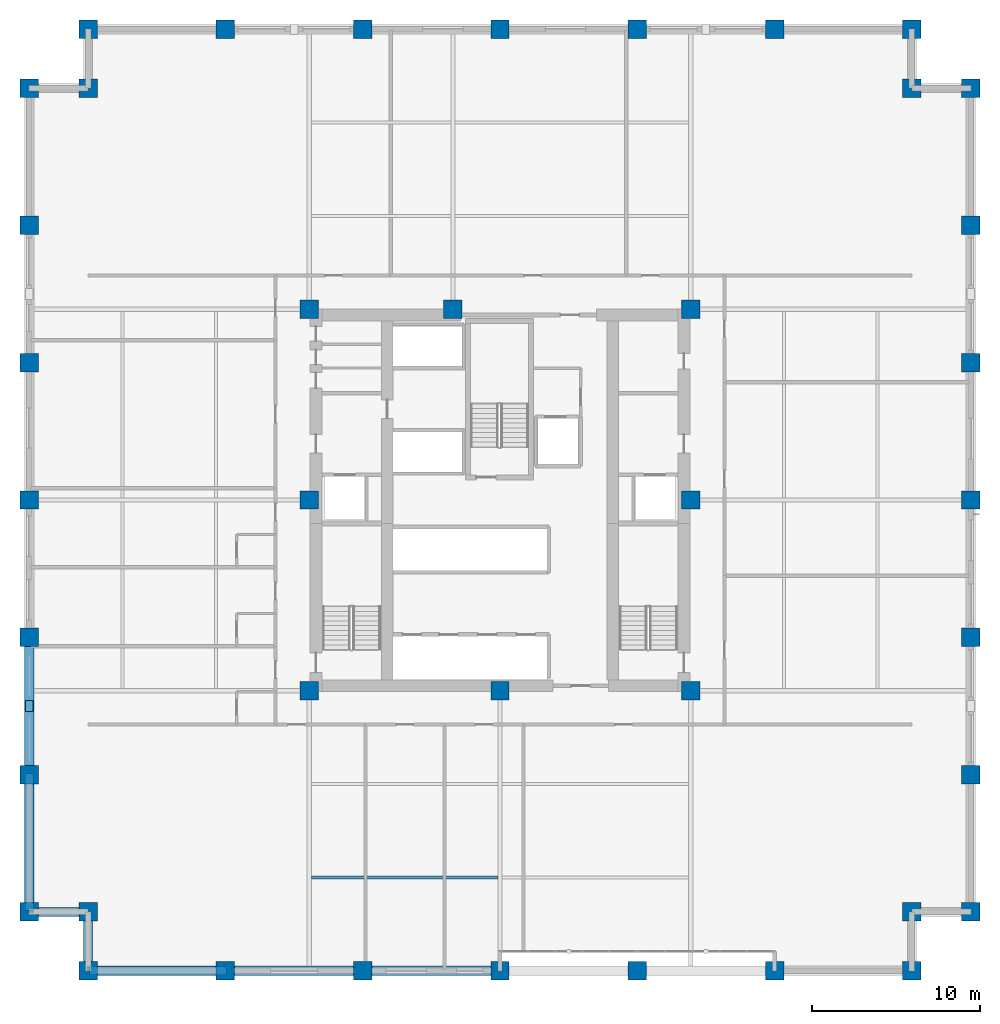
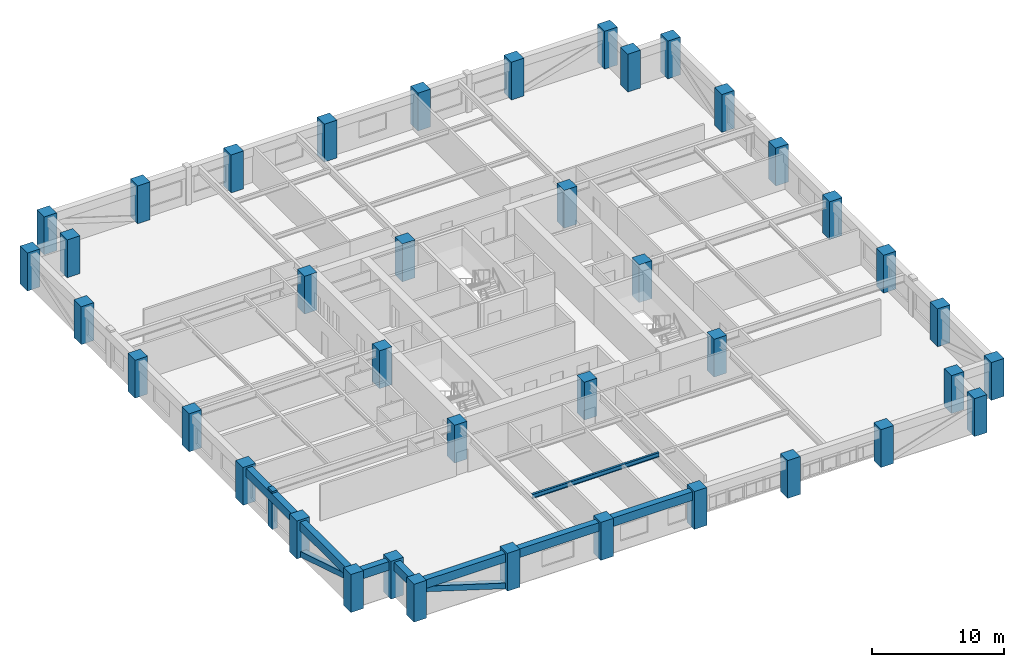
# One storey, part 1 of 13: 40 columns, 8 beams, 3 members.
"""IFC4 building model written with IfcOpenShell, lengths in metres."""

from ifc_helpers import new_model, si_unit, direction, frame, origin, origin_2d, place, context, subcontext, project, spatial, rectangle, hollow_rectangle, i_section, extrude, material, material_profile, profile_set, type_object, element, save


model = new_model("IFC4")

# Units and contexts
model_context = context("Model", 3, precision=1e-05, world=origin(), true_north=direction((0.0, 1.0)))
body_context = subcontext(model_context, "Body", "Model", "MODEL_VIEW")
ifc_project = project(units=[si_unit("LENGTHUNIT", "METRE"), si_unit("AREAUNIT", "SQUARE_METRE"), si_unit("VOLUMEUNIT", "CUBIC_METRE"), si_unit("PLANEANGLEUNIT", "RADIAN"), si_unit("MASSUNIT", "GRAM", prefix="KILO")], contexts=[model_context])

# Site, building, storey
site_placement = place(None, origin())
site = spatial("IfcSite", under=ifc_project, at=site_placement, CompositionType="ELEMENT")
building_placement = place(site_placement, origin())
building = spatial("IfcBuilding", under=site, at=building_placement, Name="Nhamokura Convention Tower", CompositionType="ELEMENT")
storey_placement = place(building_placement, frame((0.0, 0.0, 63.35009765625)))
storey = spatial("IfcBuildingStorey", under=building, at=storey_placement, Name="L14", CompositionType="ELEMENT", Elevation=63.35009765625)

# Columns
ifc_material_1 = material(Name="Concrete C60/75", Category="concrete")
ifc_material_profile_1 = material_profile(ifc_material_1, rectangle(XDim=1.10009765625, YDim=1.10009765625, at=origin_2d()))
ifc_profile_set_1 = profile_set([ifc_material_profile_1], Name="Concrete C60/75")
column_type = type_object("IfcColumnType", Name="TubeColumn_Z1_1100", PredefinedType="COLUMN", material=ifc_profile_set_1)
for number, where, z_axis, x_axis, name in (
    (1, (20.64990234375, 20.64990234375, 0.0), (0.0, 0.0, 1.0), (1.0, 0.0, 0.0), "L14 Core Column CC-SW"),
    (2, (32.0, 20.64990234375, 0.0), (0.0, 0.0, 1.0), (1.0, 0.0, 0.0), "L14 Core Column CC-S"),
    (3, (43.35009765625, 20.64990234375, 0.0), (0.0, 0.0, 1.0), (1.0, 0.0, 0.0), "L14 Core Column CC-SE"),
    (4, (43.35009765625, 32.0, 0.0), (0.0, 0.0, 1.0), (1.0, 0.0, 0.0), "L14 Core Column CC-E"),
    (5, (43.35009765625, 43.35009765625, 0.0), (0.0, 0.0, 1.0), (1.0, 0.0, 0.0), "L14 Core Column CC-NE"),
    (6, (29.199951171875, 43.35009765625, 0.0), (0.0, 0.0, 1.0), (1.0, 0.0, 0.0), "L14 Core Column CC-N"),
    (7, (20.64990234375, 43.35009765625, 0.0), (0.0, 0.0, 1.0), (1.0, 0.0, 0.0), "L14 Core Column CC-NW"),
    (8, (20.64990234375, 32.0, 0.0), (0.0, 0.0, 1.0), (1.0, 0.0, 0.0), "L14 Core Column CC-W"),
    (9, (7.5, 4.0, 0.0), (0.0, 0.0, 1.0), (1.0, 0.0, 0.0), "L14 Perimeter Tube Column SW1"),
    (10, (7.5, 7.5, 0.0), (0.0, 0.0, 1.0), (1.0, 0.0, 0.0), "L14 Perimeter Tube Column SW0"),
    (11, (4.0, 7.5, 0.0), (0.0, 0.0, 1.0), (1.0, 0.0, 0.0), "L14 Perimeter Tube Column SW2"),
    (12, (56.5, 4.0, 0.0), (0.0, 0.0, 1.0), (1.0, 0.0, 0.0), "L14 Perimeter Tube Column SE1"),
    (13, (56.5, 7.5, 0.0), (0.0, 0.0, 1.0), (1.0, 0.0, 0.0), "L14 Perimeter Tube Column SE0"),
    (14, (60.0, 7.5, 0.0), (0.0, 0.0, 1.0), (1.0, 0.0, 0.0), "L14 Perimeter Tube Column SE2"),
    (15, (60.0, 56.5, 0.0), (0.0, 0.0, 1.0), (1.0, 0.0, 0.0), "L14 Perimeter Tube Column NE1"),
    (16, (56.5, 56.5, 0.0), (0.0, 0.0, 1.0), (1.0, 0.0, 0.0), "L14 Perimeter Tube Column NE0"),
    (17, (56.5, 60.0, 0.0), (0.0, 0.0, 1.0), (1.0, 0.0, 0.0), "L14 Perimeter Tube Column NE2"),
    (18, (7.5, 60.0, 0.0), (0.0, 0.0, 1.0), (1.0, 0.0, 0.0), "L14 Perimeter Tube Column NW1"),
    (19, (7.5, 56.5, 0.0), (0.0, 0.0, 1.0), (1.0, 0.0, 0.0), "L14 Perimeter Tube Column NW0"),
    (20, (4.0, 56.5, 0.0), (0.0, 0.0, 1.0), (1.0, 0.0, 0.0), "L14 Perimeter Tube Column NW2"),
    (21, (15.666748046875, 4.0, 0.0), (0.0, 0.0, 1.0), (1.0, 0.0, 0.0), "L14 Perimeter Tube Column S1"),
    (22, (15.666748046875, 60.0, 0.0), (0.0, 0.0, 1.0), (1.0, 0.0, 0.0), "L14 Perimeter Tube Column N1"),
    (23, (4.0, 15.666748046875, 0.0), (0.0, 0.0, 1.0), (1.0, 0.0, 0.0), "L14 Perimeter Tube Column W1"),
    (24, (60.0, 15.666748046875, 0.0), (0.0, 0.0, 1.0), (1.0, 0.0, 0.0), "L14 Perimeter Tube Column E1"),
    (25, (23.833251953125, 4.0, 0.0), (0.0, 0.0, 1.0), (1.0, 0.0, 0.0), "L14 Perimeter Tube Column S2"),
    (26, (23.833251953125, 60.0, 0.0), (0.0, 0.0, 1.0), (1.0, 0.0, 0.0), "L14 Perimeter Tube Column N2"),
    (27, (4.0, 23.833251953125, 0.0), (0.0, 0.0, 1.0), (1.0, 0.0, 0.0), "L14 Perimeter Tube Column W2"),
    (28, (60.0, 23.833251953125, 0.0), (0.0, 0.0, 1.0), (1.0, 0.0, 0.0), "L14 Perimeter Tube Column E2"),
    (29, (32.0, 4.0, 0.0), (0.0, 0.0, 1.0), (1.0, 0.0, 0.0), "L14 Perimeter Tube Column S3"),
    (30, (32.0, 60.0, 0.0), (0.0, 0.0, 1.0), (1.0, 0.0, 0.0), "L14 Perimeter Tube Column N3"),
    (31, (4.0, 32.0, 0.0), (0.0, 0.0, 1.0), (1.0, 0.0, 0.0), "L14 Perimeter Tube Column W3"),
    (32, (60.0, 32.0, 0.0), (0.0, 0.0, 1.0), (1.0, 0.0, 0.0), "L14 Perimeter Tube Column E3"),
    (33, (40.166748046875, 4.0, 0.0), (0.0, 0.0, 1.0), (1.0, 0.0, 0.0), "L14 Perimeter Tube Column S4"),
    (34, (40.166748046875, 60.0, 0.0), (0.0, 0.0, 1.0), (1.0, 0.0, 0.0), "L14 Perimeter Tube Column N4"),
    (35, (4.0, 40.166748046875, 0.0), (0.0, 0.0, 1.0), (1.0, 0.0, 0.0), "L14 Perimeter Tube Column W4"),
    (36, (60.0, 40.166748046875, 0.0), (0.0, 0.0, 1.0), (1.0, 0.0, 0.0), "L14 Perimeter Tube Column E4"),
    (37, (48.333251953125, 4.0, 0.0), (0.0, 0.0, 1.0), (1.0, 0.0, 0.0), "L14 Perimeter Tube Column S5"),
    (38, (48.333251953125, 60.0, 0.0), (0.0, 0.0, 1.0), (1.0, 0.0, 0.0), "L14 Perimeter Tube Column N5"),
    (39, (4.0, 48.333251953125, 0.0), (0.0, 0.0, 1.0), (1.0, 0.0, 0.0), "L14 Perimeter Tube Column W5"),
    (40, (60.0, 48.333251953125, 0.0), (0.0, 0.0, 1.0), (1.0, 0.0, 0.0), "L14 Perimeter Tube Column E5"),
):
    element("IfcColumn", number, at=place(storey_placement, frame(where, z_axis=z_axis, x_axis=x_axis)), inside=storey, type_object=column_type, Name=name, PredefinedType="COLUMN", context=body_context, shape_type="SweptSolid", body=[
        extrude(rectangle(XDim=1.10009765625, YDim=1.10009765625, at=origin_2d()), origin(), (0.0, 0.0, 1.0), 3.5),
    ])

# Member
ifc_material_2 = material(Name="Bronze-pigmented precast concrete C45/55", Category="concrete")
ifc_material_profile_2 = material_profile(ifc_material_2, rectangle(XDim=0.449951171875, YDim=0.64990234375, at=origin_2d()))
ifc_profile_set_2 = profile_set([ifc_material_profile_2], Name="Bronze-pigmented precast concrete C45/55")
member_type_1 = type_object("IfcMemberType", Name="BronzePilaster_650", PredefinedType="USERDEFINED", material=ifc_profile_set_2)
member_placement = place(storey_placement, frame((4.0, 19.75, 0.0), z_axis=(0.0, 0.0, 1.0), x_axis=(1.0, 0.0, 0.0)))
element("IfcMember", 41, at=member_placement, inside=storey, type_object=member_type_1, Name="L14 Engaged Frame Pilaster WEST 1", ObjectType="PILASTER_TRIM", PredefinedType="USERDEFINED", context=body_context, shape_type="SweptSolid", body=[
    extrude(rectangle(XDim=0.449951171875, YDim=0.64990234375, at=origin_2d()), origin(), (0.0, 0.0, 1.0), 3.5),
])

# Beam
ifc_material_3 = material(Name="Steel ASTM A992 Gr 50", Category="steel")
ifc_material_profile_3 = material_profile(ifc_material_3, i_section(OverallWidth=0.178955078125, OverallDepth=0.409912109375, WebThickness=0.0087890625, FlangeThickness=0.014404296875, at=origin_2d()))
ifc_profile_set_3 = profile_set([ifc_material_profile_3], Name="Steel ASTM A992 Gr 50")
beam_type_1 = type_object("IfcBeamType", Name="FloorJoist_W410X67", PredefinedType="JOIST", material=ifc_profile_set_3)
beam_1_placement = place(storey_placement, frame((20.77587890625, 9.550048828125, 3.114990234375), z_axis=(1.0, 0.0, 0.0), x_axis=(0.0, 1.0, 0.0)))
element("IfcBeam", 42, at=beam_1_placement, inside=storey, type_object=beam_type_1, Name="L14 Composite Floor Joist S1A", PredefinedType="JOIST", context=body_context, shape_type="SweptSolid", body=[
    extrude(i_section(OverallWidth=0.178955078125, OverallDepth=0.409912109375, WebThickness=0.0087890625, FlangeThickness=0.014404296875, at=origin_2d()), origin(), (0.0, 0.0, 1.0), 11.09814453125),
])

# Members
ifc_material_4 = material(Name="Steel ASTM A572 Gr 50", Category="steel")
ifc_material_profile_4 = material_profile(ifc_material_4, hollow_rectangle(XDim=0.5, YDim=0.5, WallThickness=0.02490234375, at=origin_2d()))
ifc_profile_set_4 = profile_set([ifc_material_profile_4], Name="Steel ASTM A572 Gr 50")
member_type_2 = type_object("IfcMemberType", Name="TubeBrace_HSS500", PredefinedType="BRACE", material=ifc_profile_set_4)
for number, where, z_axis, x_axis, name in (
    (43, (15.666748046875, 4.0, 0.14990234375), (-0.955542765986, 0.0, 0.294852543437), (0.0, -1.0, 0.0), "L14 Perimeter Tube Brace SOUTH Bay 0"),
    (44, (4.0, 15.666748046875, 0.14990234375), (0.0, -0.955542765986, 0.294852543437), (1.0, 0.0, 0.0), "L14 Perimeter Tube Brace WEST Bay 0"),
):
    element("IfcMember", number, at=place(storey_placement, frame(where, z_axis=z_axis, x_axis=x_axis)), inside=storey, type_object=member_type_2, Name=name, PredefinedType="BRACE", context=body_context, shape_type="SweptSolid", body=[
        extrude(hollow_rectangle(XDim=0.5, YDim=0.5, WallThickness=0.02490234375, at=origin_2d()), origin(), (0.0, 0.0, 1.0), 8.546630859375),
    ])

# Beams
ifc_material_5 = material(Name="Concrete C50/60", Category="concrete")
ifc_material_profile_5 = material_profile(ifc_material_5, rectangle(XDim=0.550048828125, YDim=0.800048828125, at=origin_2d()))
ifc_profile_set_5 = profile_set([ifc_material_profile_5], Name="Concrete C50/60")
beam_type_2 = type_object("IfcBeamType", Name="TubeSpandrel_800", PredefinedType="SPANDREL", material=ifc_profile_set_5)
beam_2_placement = place(storey_placement, frame((7.5, 4.0, 2.919921875), z_axis=(1.0, 0.0, 0.0), x_axis=(0.0, 1.0, 0.0)))
element("IfcBeam", 45, at=beam_2_placement, inside=storey, type_object=beam_type_2, Name="L14 Perimeter Spandrel SOUTH 1", PredefinedType="SPANDREL", context=body_context, shape_type="SweptSolid", body=[
    extrude(rectangle(XDim=0.550048828125, YDim=0.800048828125, at=origin_2d()), origin(), (0.0, 0.0, 1.0), 8.166748046875),
])
beam_3_placement = place(storey_placement, frame((15.666748046875, 4.0, 2.919921875), z_axis=(1.0, 0.0, 0.0), x_axis=(0.0, 1.0, 0.0)))
element("IfcBeam", 46, at=beam_3_placement, inside=storey, type_object=beam_type_2, Name="L14 Perimeter Spandrel SOUTH 2", PredefinedType="SPANDREL", context=body_context, shape_type="SweptSolid", body=[
    extrude(rectangle(XDim=0.550048828125, YDim=0.800048828125, at=origin_2d()), origin(), (0.0, 0.0, 1.0), 8.16650390625),
])
for number, where, z_axis, x_axis, name in (
    (47, (23.833251953125, 4.0, 2.919921875), (1.0, 0.0, 0.0), (0.0, 1.0, 0.0), "L14 Perimeter Spandrel SOUTH 3"),
    (48, (4.0, 7.5, 2.919921875), (0.0, 1.0, 0.0), (-1.0, 0.0, 0.0), "L14 Perimeter Spandrel WEST 1"),
):
    element("IfcBeam", number, at=place(storey_placement, frame(where, z_axis=z_axis, x_axis=x_axis)), inside=storey, type_object=beam_type_2, Name=name, PredefinedType="SPANDREL", context=body_context, shape_type="SweptSolid", body=[
        extrude(rectangle(XDim=0.550048828125, YDim=0.800048828125, at=origin_2d()), origin(), (0.0, 0.0, 1.0), 8.166748046875),
    ])
beam_4_placement = place(storey_placement, frame((4.0, 15.666748046875, 2.919921875), z_axis=(0.0, 1.0, 0.0), x_axis=(-1.0, 0.0, 0.0)))
element("IfcBeam", 49, at=beam_4_placement, inside=storey, type_object=beam_type_2, Name="L14 Perimeter Spandrel WEST 2", PredefinedType="SPANDREL", context=body_context, shape_type="SweptSolid", body=[
    extrude(rectangle(XDim=0.550048828125, YDim=0.800048828125, at=origin_2d()), origin(), (0.0, 0.0, 1.0), 8.16650390625),
])
for number, where, z_axis, x_axis, name in (
    (50, (7.5, 4.0, 2.919921875), (0.0, 1.0, 0.0), (-1.0, 0.0, 0.0), "L14 Notch Spandrel SW1"),
    (51, (7.5, 7.5, 2.919921875), (-1.0, 0.0, 0.0), (0.0, -1.0, 0.0), "L14 Notch Spandrel SW2"),
):
    element("IfcBeam", number, at=place(storey_placement, frame(where, z_axis=z_axis, x_axis=x_axis)), inside=storey, type_object=beam_type_2, Name=name, PredefinedType="SPANDREL", context=body_context, shape_type="SweptSolid", body=[
        extrude(rectangle(XDim=0.550048828125, YDim=0.800048828125, at=origin_2d()), origin(), (0.0, 0.0, 1.0), 3.5),
    ])

save(model, "model.ifc")
